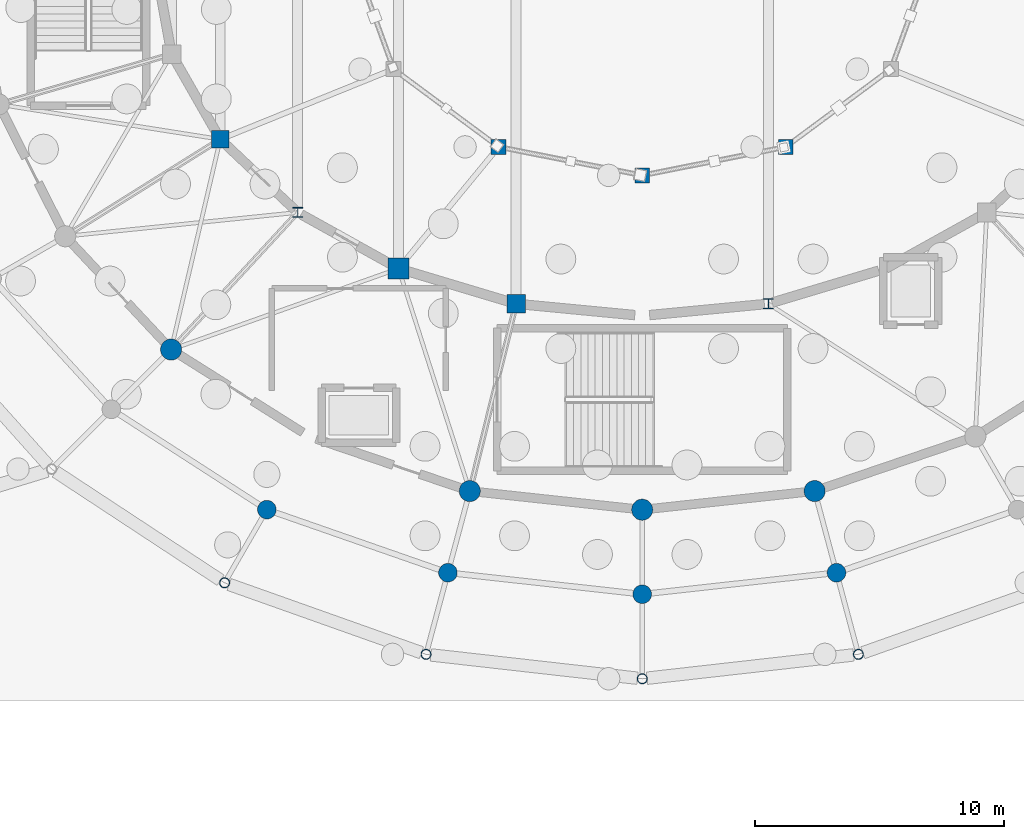
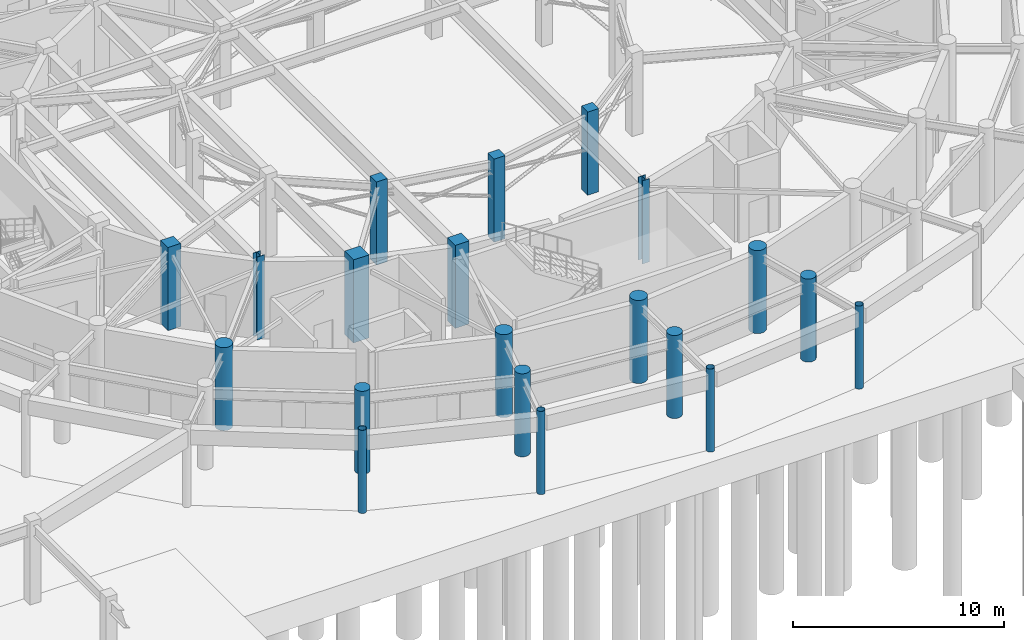
# One storey, part 13 of 68: 20 columns.
"""IFC4 building model written with IfcOpenShell, lengths in metres."""

from ifc_helpers import new_model, si_unit, direction, frame, origin, origin_2d, place, context, subcontext, project, spatial, rectangle, circle, hollow_circle, i_section, extrude, material, material_profile, profile_set, type_object, element, save


model = new_model("IFC4")

# Units and contexts
model_context = context("Model", 3, precision=1e-05, world=origin(), true_north=direction((0.0, 1.0)))
body_context = subcontext(model_context, "Body", "Model", "MODEL_VIEW")
ifc_project = project(units=[si_unit("LENGTHUNIT", "METRE"), si_unit("AREAUNIT", "SQUARE_METRE"), si_unit("VOLUMEUNIT", "CUBIC_METRE"), si_unit("PLANEANGLEUNIT", "RADIAN"), si_unit("MASSUNIT", "GRAM", prefix="KILO")], contexts=[model_context])

# Site, building, storey
site_placement = place(None, origin())
site = spatial("IfcSite", under=ifc_project, at=site_placement, CompositionType="ELEMENT")
building_placement = place(site_placement, origin())
building = spatial("IfcBuilding", under=site, at=building_placement, Name="Cinderbank Siding Concert Hall", CompositionType="ELEMENT")
storey_placement = place(building_placement, frame((0.0, 0.0, -4.800048828125)))
storey = spatial("IfcBuildingStorey", under=building, at=storey_placement, Name="B1", CompositionType="ELEMENT", Elevation=-4.800048828125)

# Columns
ifc_material_1 = material(Name="Structural steel hollow section AS/NZS 1163 Grade C350L0 (350 MPa)", Category="steel")
ifc_material_profile_1 = material_profile(ifc_material_1, hollow_circle(Radius=0.203125, WallThickness=0.01611328125, at=origin_2d()), Name="406.4x16.0CHS", Category="LoadBearing")
ifc_profile_set_1 = profile_set([ifc_material_profile_1], Name="Structural steel hollow section AS/NZS 1163 Grade C350L0 (350 MPa)")
column_type_1 = type_object("IfcColumnType", Name="C-CHS406 406.4x16.0CHS", PredefinedType="COLUMN", material=ifc_profile_set_1)
for number, where, z_axis, x_axis, name in (
    (1, (105.199951171875, 19.05810546875, 0.0), (0.0, 0.0, 1.0), (1.0, 0.0, 0.0), "B1 Column COL-E4-17"),
    (2, (113.303955078125, 16.180908203125, 0.0), (0.0, 0.0, 1.0), (1.0, 0.0, 0.0), "B1 Column COL-E4-18"),
    (3, (122.0, 15.199951171875, 0.0), (0.0, 0.0, 1.0), (1.0, 0.0, 0.0), "B1 Column COL-E4-19"),
    (4, (130.696044921875, 16.180908203125, 0.0), (0.0, 0.0, 1.0), (1.0, 0.0, 0.0), "B1 Column COL-E4-20"),
):
    element("IfcColumn", number, at=place(storey_placement, frame(where, z_axis=z_axis, x_axis=x_axis)), inside=storey, type_object=column_type_1, Name=name, PredefinedType="COLUMN", context=body_context, shape_type="SweptSolid", body=[
        extrude(hollow_circle(Radius=0.203125, WallThickness=0.01611328125, at=origin_2d()), origin(), (0.0, 0.0, 1.0), 4.800048828125),
    ])
ifc_material_2 = material(Name="Reinforced concrete AS 3600 N50 (50 MPa)", Category="concrete")
ifc_material_profile_2 = material_profile(ifc_material_2, rectangle(XDim=0.60009765625, YDim=0.60009765625, at=origin_2d()), Name="RC-COL-600x600", Category="LoadBearing")
ifc_profile_set_2 = profile_set([ifc_material_profile_2], Name="Reinforced concrete AS 3600 N50 (50 MPa)")
column_type_2 = type_object("IfcColumnType", Name="C-RC600 RC-COL-600x600", PredefinedType="COLUMN", material=ifc_profile_set_2)
for number, where, z_axis, x_axis, name in (
    (5, (116.22509765625, 36.595947265625, 0.0), (0.0, 0.0, 1.0), (1.0, 0.0, 0.0), "B1 Column COL-E0-17"),
    (6, (122.0, 35.449951171875, 0.0), (0.0, 0.0, 1.0), (1.0, 0.0, 0.0), "B1 Column COL-E0-19"),
    (7, (127.77490234375, 36.595947265625, 0.0), (0.0, 0.0, 1.0), (1.0, 0.0, 0.0), "B1 Column COL-E0-21"),
):
    element("IfcColumn", number, at=place(storey_placement, frame(where, z_axis=z_axis, x_axis=x_axis)), inside=storey, type_object=column_type_2, Name=name, PredefinedType="COLUMN", context=body_context, shape_type="SweptSolid", body=[
        extrude(rectangle(XDim=0.60009765625, YDim=0.60009765625, at=origin_2d()), origin(), (0.0, 0.0, 1.0), 4.800048828125),
    ])
ifc_material_profile_3 = material_profile(ifc_material_2, rectangle(XDim=0.699951171875, YDim=0.699951171875, at=origin_2d()), Name="RC-COL-700x700", Category="LoadBearing")
ifc_profile_set_3 = profile_set([ifc_material_profile_3], Name="Reinforced concrete AS 3600 N50 (50 MPa)")
column_type_3 = type_object("IfcColumnType", Name="C-RC700 RC-COL-700x700", PredefinedType="COLUMN", material=ifc_profile_set_3)
column_1_placement = place(storey_placement, frame((105.02587890625, 36.89990234375, 0.0), z_axis=(0.0, 0.0, 1.0), x_axis=(1.0, 0.0, 0.0)))
element("IfcColumn", 8, at=column_1_placement, inside=storey, type_object=column_type_3, Name="B1 Column COL-E1-15", PredefinedType="COLUMN", context=body_context, shape_type="SweptSolid", body=[
    extrude(rectangle(XDim=0.699951171875, YDim=0.699951171875, at=origin_2d()), origin(), (0.0, 0.0, 1.0), 4.800048828125),
])
ifc_material_profile_4 = material_profile(ifc_material_2, rectangle(XDim=0.75, YDim=0.75, at=origin_2d()), Name="RC-COL-750x750", Category="LoadBearing")
ifc_profile_set_4 = profile_set([ifc_material_profile_4], Name="Reinforced concrete AS 3600 N50 (50 MPa)")
column_type_4 = type_object("IfcColumnType", Name="C-RC750 RC-COL-750x750", PredefinedType="COLUMN", material=ifc_profile_set_4)
column_2_placement = place(storey_placement, frame((116.927001953125, 30.283935546875, 0.0), z_axis=(0.0, 0.0, 1.0), x_axis=(1.0, 0.0, 0.0)))
element("IfcColumn", 9, at=column_2_placement, inside=storey, type_object=column_type_4, Name="B1 Column COL-E1-18", PredefinedType="COLUMN", context=body_context, shape_type="SweptSolid", body=[
    extrude(rectangle(XDim=0.75, YDim=0.75, at=origin_2d()), origin(), (0.0, 0.0, 1.0), 4.800048828125),
])
ifc_material_profile_5 = material_profile(ifc_material_2, rectangle(XDim=0.85009765625, YDim=0.85009765625, at=origin_2d()), Name="RC-COL-850x850", Category="LoadBearing")
ifc_profile_set_5 = profile_set([ifc_material_profile_5], Name="Reinforced concrete AS 3600 N50 (50 MPa)")
column_type_5 = type_object("IfcColumnType", Name="C-RC850 RC-COL-850x850", PredefinedType="COLUMN", material=ifc_profile_set_5)
column_3_placement = place(storey_placement, frame((112.199951171875, 31.701904296875, 0.0), z_axis=(0.0, 0.0, 1.0), x_axis=(1.0, 0.0, 0.0)))
element("IfcColumn", 10, at=column_3_placement, inside=storey, type_object=column_type_5, Name="B1 Column COL-E1-17", PredefinedType="COLUMN", context=body_context, shape_type="SweptSolid", body=[
    extrude(rectangle(XDim=0.85009765625, YDim=0.85009765625, at=origin_2d()), origin(), (0.0, 0.0, 1.0), 4.800048828125),
])
ifc_material_profile_6 = material_profile(ifc_material_2, circle(Radius=0.375, at=origin_2d()), Name="RC-COL-750DIA", Category="LoadBearing")
ifc_profile_set_6 = profile_set([ifc_material_profile_6], Name="Reinforced concrete AS 3600 N50 (50 MPa)")
column_type_6 = type_object("IfcColumnType", Name="C-RCD750 RC-COL-750DIA", PredefinedType="COLUMN", material=ifc_profile_set_6)
for number, where, z_axis, x_axis, name in (
    (11, (106.89990234375, 22.0029296875, 0.0), (0.0, 0.0, 1.0), (1.0, 0.0, 0.0), "B1 Column COL-E3-17"),
    (12, (114.18408203125, 19.465087890625, 0.0), (0.0, 0.0, 1.0), (1.0, 0.0, 0.0), "B1 Column COL-E3-18"),
    (13, (122.0, 18.60009765625, 0.0), (0.0, 0.0, 1.0), (1.0, 0.0, 0.0), "B1 Column COL-E3-19"),
    (14, (129.81591796875, 19.465087890625, 0.0), (0.0, 0.0, 1.0), (1.0, 0.0, 0.0), "B1 Column COL-E3-20"),
):
    element("IfcColumn", number, at=place(storey_placement, frame(where, z_axis=z_axis, x_axis=x_axis)), inside=storey, type_object=column_type_6, Name=name, PredefinedType="COLUMN", context=body_context, shape_type="SweptSolid", body=[
        extrude(circle(Radius=0.375, at=origin_2d()), origin(), (0.0, 0.0, 1.0), 4.800048828125),
    ])
ifc_material_profile_7 = material_profile(ifc_material_2, circle(Radius=0.425048828125, at=origin_2d()), Name="RC-COL-850DIA", Category="LoadBearing")
ifc_profile_set_7 = profile_set([ifc_material_profile_7], Name="Reinforced concrete AS 3600 N50 (50 MPa)")
column_type_7 = type_object("IfcColumnType", Name="C-RCD850 RC-COL-850DIA", PredefinedType="COLUMN", material=ifc_profile_set_7)
for number, where, z_axis, x_axis, name in (
    (15, (103.049072265625, 28.444091796875, 0.0), (0.0, 0.0, 1.0), (1.0, 0.0, 0.0), "B1 Column COL-E2-16"),
    (16, (115.06396484375, 22.75, 0.0), (0.0, 0.0, 1.0), (1.0, 0.0, 0.0), "B1 Column COL-E2-18"),
    (17, (122.0, 22.0, 0.0), (0.0, 0.0, 1.0), (1.0, 0.0, 0.0), "B1 Column COL-E2-19"),
    (18, (128.93603515625, 22.75, 0.0), (0.0, 0.0, 1.0), (1.0, 0.0, 0.0), "B1 Column COL-E2-20"),
):
    element("IfcColumn", number, at=place(storey_placement, frame(where, z_axis=z_axis, x_axis=x_axis)), inside=storey, type_object=column_type_7, Name=name, PredefinedType="COLUMN", context=body_context, shape_type="SweptSolid", body=[
        extrude(circle(Radius=0.425048828125, at=origin_2d()), origin(), (0.0, 0.0, 1.0), 4.800048828125),
    ])
ifc_material_3 = material(Name="Structural steel welded plate section AS/NZS 3679.2 / AS/NZS 3678 Grade 350 (340 MPa)", Category="steel")
ifc_material_profile_8 = material_profile(ifc_material_3, i_section(OverallWidth=0.39990234375, OverallDepth=0.39990234375, WebThickness=0.01611328125, FlangeThickness=0.02490234375, at=origin_2d()), Name="400WC212", Category="LoadBearing")
ifc_profile_set_8 = profile_set([ifc_material_profile_8], Name="Structural steel welded plate section AS/NZS 3679.2 / AS/NZS 3678 Grade 350 (340 MPa)")
column_type_8 = type_object("IfcColumnType", Name="C-WC400 400WC212", PredefinedType="COLUMN", material=ifc_profile_set_8)
for number, where, z_axis, x_axis, name in (
    (19, (108.14111328125, 33.958984375, 0.0), (0.0, 0.0, 1.0), (1.0, 0.0, 0.0), "B1 Column COL-E1-16"),
    (20, (127.072998046875, 30.283935546875, 0.0), (0.0, 0.0, 1.0), (1.0, 0.0, 0.0), "B1 Column COL-E1-20"),
):
    element("IfcColumn", number, at=place(storey_placement, frame(where, z_axis=z_axis, x_axis=x_axis)), inside=storey, type_object=column_type_8, Name=name, PredefinedType="COLUMN", context=body_context, shape_type="SweptSolid", body=[
        extrude(i_section(OverallWidth=0.39990234375, OverallDepth=0.39990234375, WebThickness=0.01611328125, FlangeThickness=0.02490234375, at=origin_2d()), origin(), (0.0, 0.0, 1.0), 4.800048828125),
    ])

save(model, "model.ifc")
